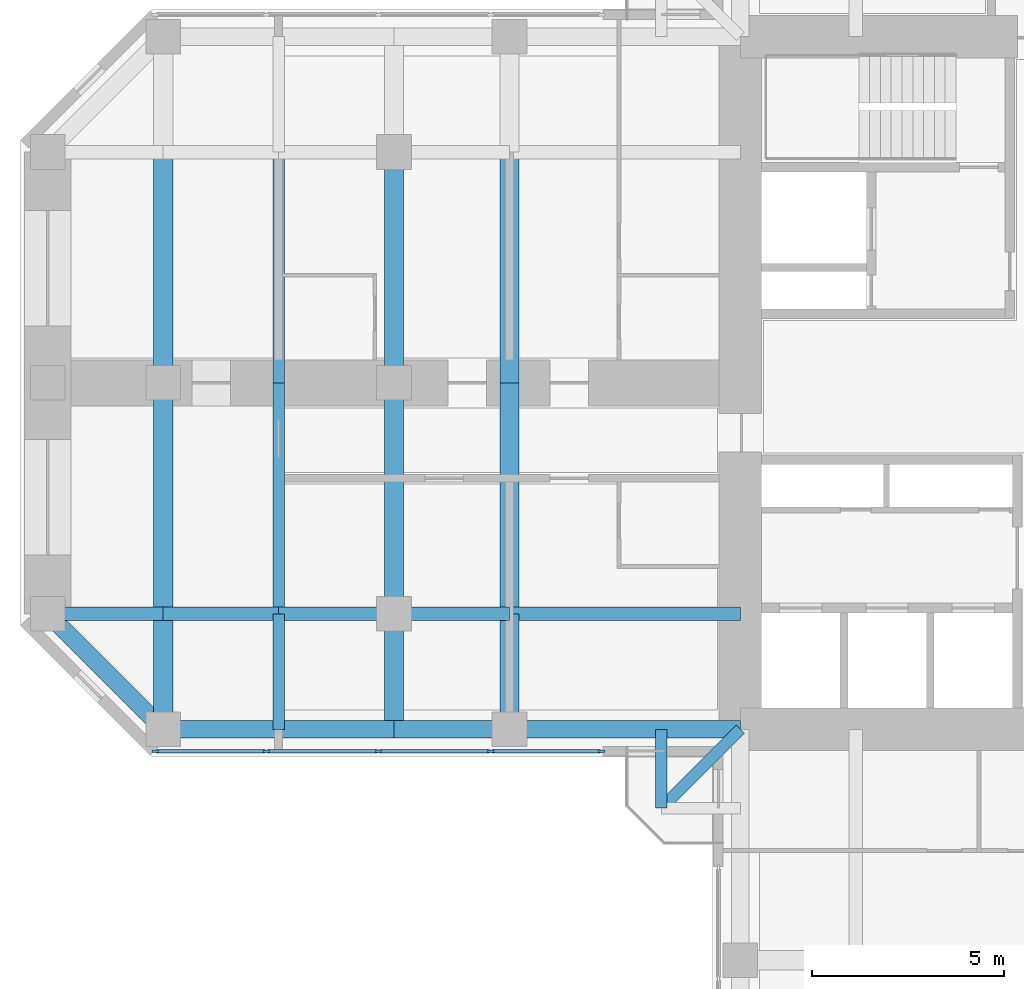
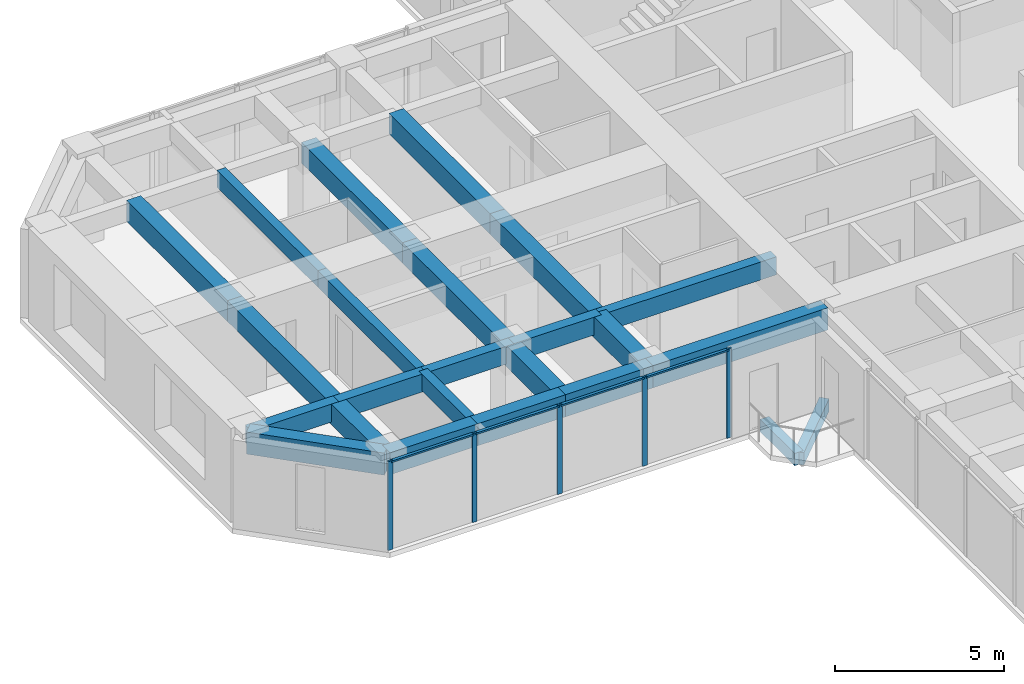
# One storey, part 3 of 14: 24 beams, 9 members, 1 element without a shape of its own.
"""IFC4 building model written with IfcOpenShell, lengths in metres."""

from ifc_helpers import new_model, si_unit, direction, frame, origin, origin_2d, place, context, subcontext, project, spatial, rectangle, extrude, material, material_profile, profile_set, type_object, element, aggregate, save


model = new_model("IFC4")

# Units and contexts
model_context = context("Model", 3, precision=1e-05, world=origin(), true_north=direction((0.0, 1.0)))
body_context = subcontext(model_context, "Body", "Model", "MODEL_VIEW")
ifc_project = project(units=[si_unit("LENGTHUNIT", "METRE"), si_unit("AREAUNIT", "SQUARE_METRE"), si_unit("VOLUMEUNIT", "CUBIC_METRE"), si_unit("PLANEANGLEUNIT", "RADIAN"), si_unit("MASSUNIT", "GRAM", prefix="KILO")], contexts=[model_context])

# Site, building, storey
site_placement = place(None, origin())
site = spatial("IfcSite", under=ifc_project, at=site_placement, CompositionType="ELEMENT")
building_placement = place(site_placement, origin())
building = spatial("IfcBuilding", under=site, at=building_placement, Name="Torre Cruceta", CompositionType="ELEMENT")
storey_placement = place(building_placement, frame((0.0, 0.0, 169.5)))
storey = spatial("IfcBuildingStorey", under=building, at=storey_placement, Name="L41", CompositionType="ELEMENT", Elevation=169.5)

# Beams
ifc_material_1 = material(Name="Concrete G60 (fck 60 MPa)", Category="concrete")
ifc_material_profile_1 = material_profile(ifc_material_1, rectangle(XDim=0.300048828125, YDim=0.449951171875, at=origin_2d()), Name="RC 300X450")
ifc_profile_set_1 = profile_set([ifc_material_profile_1], Name="Concrete G60 (fck 60 MPa)")
beam_type_1 = type_object("IfcBeamType", Name="BALCONY CANTILEVER BEAM RC 300X450", PredefinedType="BEAM", material=ifc_profile_set_1)
beam_1_placement = place(storey_placement, frame((-9.0, -9.0, -0.405029296875), z_axis=(-0.707106781187, -0.707106781187, 0.0), x_axis=(0.707106781187, -0.707106781187, 0.0)))
element("IfcBeam", 1, at=beam_1_placement, inside=storey, type_object=beam_type_1, Name="BB1 balcony beam L41 W", PredefinedType="BEAM", context=body_context, shape_type="SweptSolid", body=[
    extrude(rectangle(XDim=0.300048828125, YDim=0.449951171875, at=origin_2d()), origin(), (0.0, 0.0, 1.0), 2.89990234375),
])
beam_2_placement = place(storey_placement, frame((-11.050537109375, -9.0, -0.405029296875), z_axis=(0.0, -1.0, 0.0), x_axis=(1.0, 0.0, 0.0)))
element("IfcBeam", 2, at=beam_2_placement, inside=storey, type_object=beam_type_1, Name="BB1 balcony edge beam L41 W-X", PredefinedType="BEAM", context=body_context, shape_type="SweptSolid", body=[
    extrude(rectangle(XDim=0.300048828125, YDim=0.449951171875, at=origin_2d()), origin(), (0.0, 0.0, 1.0), 2.050537109375),
])
ifc_material_2 = material(Name="Concrete G60 (fck 60 MPa)", Category="concrete")
ifc_material_profile_2 = material_profile(ifc_material_2, rectangle(XDim=0.35009765625, YDim=0.64990234375, at=origin_2d()), Name="RC 350X650")
ifc_profile_set_2 = profile_set([ifc_material_profile_2], Name="Concrete G60 (fck 60 MPa)")
beam_type_2 = type_object("IfcBeamType", Name="COLUMN LINE BEAM RC 350X650", PredefinedType="BEAM", material=ifc_profile_set_2)
beam_3_placement = place(storey_placement, frame((-9.0, -6.0, 2.89501953125), z_axis=(-1.0, 0.0, 0.0), x_axis=(0.0, -1.0, 0.0)))
element("IfcBeam", 3, at=beam_3_placement, inside=storey, type_object=beam_type_2, Name="LB7 L41 W col+ 1", PredefinedType="BEAM", context=body_context, shape_type="SweptSolid", body=[
    extrude(rectangle(XDim=0.35009765625, YDim=0.64990234375, at=origin_2d()), origin(), (0.0, 0.0, 1.0), 6.0),
])
for number, where, z_axis, x_axis, name in (
    (4, (-15.0, -6.0, 2.89501953125), (-1.0, 0.0, 0.0), (0.0, -1.0, 0.0), "LB7 L41 W col+ 2"),
    (5, (-18.0, -6.0, 2.89501953125), (-1.0, 0.0, 0.0), (0.0, -1.0, 0.0), "LB7 L41 W col+ 3"),
    (6, (-21.0, -6.0, 2.89501953125), (-1.0, 0.0, 0.0), (0.0, -1.0, 0.0), "LB7 L41 W col+ 4"),
    (7, (-24.0, -6.0, 2.89501953125), (-1.0, 0.0, 0.0), (0.0, -1.0, 0.0), "LB7 L41 W col+ 5"),
):
    element("IfcBeam", number, at=place(storey_placement, frame(where, z_axis=z_axis, x_axis=x_axis)), inside=storey, type_object=beam_type_2, Name=name, PredefinedType="BEAM", context=body_context, shape_type="SweptSolid", body=[
        extrude(rectangle(XDim=0.35009765625, YDim=0.64990234375, at=origin_2d()), origin(), (0.0, 0.0, 1.0), 3.0),
    ])
ifc_material_3 = material(Name="Concrete G60 (fck 60 MPa)", Category="concrete")
ifc_material_profile_3 = material_profile(ifc_material_3, rectangle(XDim=0.5, YDim=0.75, at=origin_2d()), Name="RC 500X750")
ifc_profile_set_3 = profile_set([ifc_material_profile_3], Name="Concrete G60 (fck 60 MPa)")
beam_type_3 = type_object("IfcBeamType", Name="CROSS BEAM RC 500X750", PredefinedType="BEAM", material=ifc_profile_set_3)
for number, where, z_axis, x_axis, name in (
    (8, (-15.0, 6.0, 2.844970703125), (0.0, -1.0, 0.0), (1.0, 0.0, 0.0), "GB6 L41 W cross15 2"),
    (9, (-15.0, 0.0, 2.844970703125), (0.0, -1.0, 0.0), (1.0, 0.0, 0.0), "GB6 L41 W cross15 3"),
):
    element("IfcBeam", number, at=place(storey_placement, frame(where, z_axis=z_axis, x_axis=x_axis)), inside=storey, type_object=beam_type_3, Name=name, PredefinedType="BEAM", context=body_context, shape_type="SweptSolid", body=[
        extrude(rectangle(XDim=0.5, YDim=0.75, at=origin_2d()), origin(), (0.0, 0.0, 1.0), 6.0),
    ])
beam_4_placement = place(storey_placement, frame((-15.0, -6.0, 2.844970703125), z_axis=(0.0, -1.0, 0.0), x_axis=(1.0, 0.0, 0.0)))
element("IfcBeam", 10, at=beam_4_placement, inside=storey, type_object=beam_type_3, Name="GB6 L41 W cross15 4", PredefinedType="BEAM", context=body_context, shape_type="SweptSolid", body=[
    extrude(rectangle(XDim=0.5, YDim=0.75, at=origin_2d()), origin(), (0.0, 0.0, 1.0), 3.0),
])
for number, where, z_axis, x_axis, name in (
    (11, (-18.0, 6.0, 2.844970703125), (0.0, -1.0, 0.0), (1.0, 0.0, 0.0), "GB6 L41 W cross18 2"),
    (12, (-18.0, 0.0, 2.844970703125), (0.0, -1.0, 0.0), (1.0, 0.0, 0.0), "GB6 L41 W cross18 3"),
):
    element("IfcBeam", number, at=place(storey_placement, frame(where, z_axis=z_axis, x_axis=x_axis)), inside=storey, type_object=beam_type_3, Name=name, PredefinedType="BEAM", context=body_context, shape_type="SweptSolid", body=[
        extrude(rectangle(XDim=0.5, YDim=0.75, at=origin_2d()), origin(), (0.0, 0.0, 1.0), 6.0),
    ])
beam_5_placement = place(storey_placement, frame((-18.0, -6.0, 2.844970703125), z_axis=(0.0, -1.0, 0.0), x_axis=(1.0, 0.0, 0.0)))
element("IfcBeam", 13, at=beam_5_placement, inside=storey, type_object=beam_type_3, Name="GB6 L41 W cross18 4", PredefinedType="BEAM", context=body_context, shape_type="SweptSolid", body=[
    extrude(rectangle(XDim=0.5, YDim=0.75, at=origin_2d()), origin(), (0.0, 0.0, 1.0), 3.0),
])
for number, where, z_axis, x_axis, name in (
    (14, (-24.0, 6.0, 2.844970703125), (0.0, -1.0, 0.0), (1.0, 0.0, 0.0), "GB6 L41 W cross24 2"),
    (15, (-24.0, 0.0, 2.844970703125), (0.0, -1.0, 0.0), (1.0, 0.0, 0.0), "GB6 L41 W cross24 3"),
):
    element("IfcBeam", number, at=place(storey_placement, frame(where, z_axis=z_axis, x_axis=x_axis)), inside=storey, type_object=beam_type_3, Name=name, PredefinedType="BEAM", context=body_context, shape_type="SweptSolid", body=[
        extrude(rectangle(XDim=0.5, YDim=0.75, at=origin_2d()), origin(), (0.0, 0.0, 1.0), 6.0),
    ])
beam_6_placement = place(storey_placement, frame((-24.0, -6.0, 2.844970703125), z_axis=(0.0, -1.0, 0.0), x_axis=(1.0, 0.0, 0.0)))
element("IfcBeam", 16, at=beam_6_placement, inside=storey, type_object=beam_type_3, Name="GB6 L41 W cross24 4", PredefinedType="BEAM", context=body_context, shape_type="SweptSolid", body=[
    extrude(rectangle(XDim=0.5, YDim=0.75, at=origin_2d()), origin(), (0.0, 0.0, 1.0), 3.0),
])

# Curtain wall, members
ifc_material_4 = material(Name="Aluminium unitised curtain wall", Category="aluminium")
curtain_wall_type = type_object("IfcCurtainWallType", Name="CURTAIN WALL CW-C CO-LIVING", PredefinedType="USERDEFINED", material=ifc_material_4)
curtain_wall_placement = place(storey_placement, origin())
curtain_wall = element("IfcCurtainWall", 17, at=curtain_wall_placement, inside=storey, type_object=curtain_wall_type, Name="CW-C L41 W side 14", ObjectType="UNITISED", PredefinedType="USERDEFINED")
ifc_material_5 = material(Name="Aluminium mullion", Category="aluminium")
ifc_material_profile_4 = material_profile(ifc_material_5, rectangle(XDim=0.06005859375, YDim=0.159912109375, at=origin_2d()), Name="AL 60X160")
ifc_profile_set_4 = profile_set([ifc_material_profile_4], Name="Aluminium mullion")
member_type_1 = type_object("IfcMemberType", Name="CW-C MULLION 60X160", PredefinedType="MULLION", material=ifc_profile_set_4)
member_1_placement = place(storey_placement, frame((-24.2060546875, -9.570068359375, 0.0), z_axis=(0.0, 0.0, 1.0), x_axis=(0.0, 1.0, 0.0)))
member_1 = element("IfcMember", 18, at=member_1_placement, type_object=member_type_1, Name="CW-C mullion 1", PredefinedType="MULLION", context=body_context, shape_type="SweptSolid", body=[
    extrude(rectangle(XDim=0.06005859375, YDim=0.159912109375, at=origin_2d()), origin(), (0.0, 0.0, 1.0), 3.219970703125),
])
member_2_placement = place(storey_placement, frame((-21.319580078125, -9.570068359375, 0.0), z_axis=(0.0, 0.0, 1.0), x_axis=(0.0, 1.0, 0.0)))
member_2 = element("IfcMember", 19, at=member_2_placement, type_object=member_type_1, Name="CW-C mullion 2", PredefinedType="MULLION", context=body_context, shape_type="SweptSolid", body=[
    extrude(rectangle(XDim=0.06005859375, YDim=0.159912109375, at=origin_2d()), origin(), (0.0, 0.0, 1.0), 3.219970703125),
])
member_3_placement = place(storey_placement, frame((-18.403076171875, -9.570068359375, 0.0), z_axis=(0.0, 0.0, 1.0), x_axis=(0.0, 1.0, 0.0)))
member_3 = element("IfcMember", 20, at=member_3_placement, type_object=member_type_1, Name="CW-C mullion 3", PredefinedType="MULLION", context=body_context, shape_type="SweptSolid", body=[
    extrude(rectangle(XDim=0.06005859375, YDim=0.159912109375, at=origin_2d()), origin(), (0.0, 0.0, 1.0), 3.219970703125),
])
member_4_placement = place(storey_placement, frame((-15.486572265625, -9.570068359375, 0.0), z_axis=(0.0, 0.0, 1.0), x_axis=(0.0, 1.0, 0.0)))
member_4 = element("IfcMember", 21, at=member_4_placement, type_object=member_type_1, Name="CW-C mullion 4", PredefinedType="MULLION", context=body_context, shape_type="SweptSolid", body=[
    extrude(rectangle(XDim=0.06005859375, YDim=0.159912109375, at=origin_2d()), origin(), (0.0, 0.0, 1.0), 3.219970703125),
])
member_5_placement = place(storey_placement, frame((-12.60009765625, -9.570068359375, 0.0), z_axis=(0.0, 0.0, 1.0), x_axis=(0.0, 1.0, 0.0)))
member_5 = element("IfcMember", 22, at=member_5_placement, type_object=member_type_1, Name="CW-C mullion 5", PredefinedType="MULLION", context=body_context, shape_type="SweptSolid", body=[
    extrude(rectangle(XDim=0.06005859375, YDim=0.159912109375, at=origin_2d()), origin(), (0.0, 0.0, 1.0), 3.219970703125),
])
ifc_material_6 = material(Name="Aluminium transom", Category="aluminium")
ifc_material_profile_5 = material_profile(ifc_material_6, rectangle(XDim=0.10009765625, YDim=0.06005859375, at=origin_2d()), Name="AL 100X60")
ifc_profile_set_5 = profile_set([ifc_material_profile_5], Name="Aluminium transom")
member_type_2 = type_object("IfcMemberType", Name="CW-C TRANSOM 60X100", PredefinedType="USERDEFINED", material=ifc_profile_set_5)
member_6_placement = place(storey_placement, frame((-24.176025390625, -9.570068359375, 3.18994140625), z_axis=(1.0, 0.0, 0.0), x_axis=(0.0, 1.0, 0.0)))
member_6 = element("IfcMember", 23, at=member_6_placement, type_object=member_type_2, Name="CW-C transom 1", ObjectType="TRANSOM", PredefinedType="USERDEFINED", context=body_context, shape_type="SweptSolid", body=[
    extrude(rectangle(XDim=0.10009765625, YDim=0.06005859375, at=origin_2d()), origin(), (0.0, 0.0, 1.0), 2.826416015625),
])
member_7_placement = place(storey_placement, frame((-21.28955078125, -9.570068359375, 3.18994140625), z_axis=(1.0, 0.0, 0.0), x_axis=(0.0, 1.0, 0.0)))
member_7 = element("IfcMember", 24, at=member_7_placement, type_object=member_type_2, Name="CW-C transom 2", ObjectType="TRANSOM", PredefinedType="USERDEFINED", context=body_context, shape_type="SweptSolid", body=[
    extrude(rectangle(XDim=0.10009765625, YDim=0.06005859375, at=origin_2d()), origin(), (0.0, 0.0, 1.0), 2.8564453125),
])
member_8_placement = place(storey_placement, frame((-18.373046875, -9.570068359375, 3.18994140625), z_axis=(1.0, 0.0, 0.0), x_axis=(0.0, 1.0, 0.0)))
member_8 = element("IfcMember", 25, at=member_8_placement, type_object=member_type_2, Name="CW-C transom 3", ObjectType="TRANSOM", PredefinedType="USERDEFINED", context=body_context, shape_type="SweptSolid", body=[
    extrude(rectangle(XDim=0.10009765625, YDim=0.06005859375, at=origin_2d()), origin(), (0.0, 0.0, 1.0), 2.8564453125),
])
member_9_placement = place(storey_placement, frame((-15.45654296875, -9.570068359375, 3.18994140625), z_axis=(1.0, 0.0, 0.0), x_axis=(0.0, 1.0, 0.0)))
member_9 = element("IfcMember", 26, at=member_9_placement, type_object=member_type_2, Name="CW-C transom 4", ObjectType="TRANSOM", PredefinedType="USERDEFINED", context=body_context, shape_type="SweptSolid", body=[
    extrude(rectangle(XDim=0.10009765625, YDim=0.06005859375, at=origin_2d()), origin(), (0.0, 0.0, 1.0), 2.82666015625),
])
aggregate(curtain_wall, [member_1, member_2, member_3, member_4, member_5, member_6, member_7, member_8, member_9])

# Beams
ifc_material_7 = material(Name="Concrete G60 (fck 60 MPa)", Category="concrete")
ifc_material_profile_6 = material_profile(ifc_material_7, rectangle(XDim=0.300048828125, YDim=0.60009765625, at=origin_2d()), Name="RC 300X600")
ifc_profile_set_6 = profile_set([ifc_material_profile_6], Name="Concrete G60 (fck 60 MPa)")
beam_type_4 = type_object("IfcBeamType", Name="SECONDARY BEAM RC 300X600", PredefinedType="JOIST", material=ifc_profile_set_6)
for number, where, z_axis, x_axis, name in (
    (27, (-21.0, 6.0, 2.919921875), (0.0, -1.0, 0.0), (1.0, 0.0, 0.0), "JB6 L41 W sec21 2"),
    (28, (-21.0, 0.0, 2.919921875), (0.0, -1.0, 0.0), (1.0, 0.0, 0.0), "JB6 L41 W sec21 3"),
):
    element("IfcBeam", number, at=place(storey_placement, frame(where, z_axis=z_axis, x_axis=x_axis)), inside=storey, type_object=beam_type_4, Name=name, PredefinedType="JOIST", context=body_context, shape_type="SweptSolid", body=[
        extrude(rectangle(XDim=0.300048828125, YDim=0.60009765625, at=origin_2d()), origin(), (0.0, 0.0, 1.0), 6.0),
    ])
beam_7_placement = place(storey_placement, frame((-21.0, -6.0, 2.919921875), z_axis=(0.0, -1.0, 0.0), x_axis=(1.0, 0.0, 0.0)))
element("IfcBeam", 29, at=beam_7_placement, inside=storey, type_object=beam_type_4, Name="JB6 L41 W sec21 4", PredefinedType="JOIST", context=body_context, shape_type="SweptSolid", body=[
    extrude(rectangle(XDim=0.300048828125, YDim=0.60009765625, at=origin_2d()), origin(), (0.0, 0.0, 1.0), 3.0),
])
ifc_material_8 = material(Name="Concrete G60 (fck 60 MPa)", Category="concrete")
ifc_material_profile_7 = material_profile(ifc_material_8, rectangle(XDim=0.449951171875, YDim=0.800048828125, at=origin_2d()), Name="RC 450X800")
ifc_profile_set_7 = profile_set([ifc_material_profile_7], Name="Concrete G60 (fck 60 MPa)")
beam_type_5 = type_object("IfcBeamType", Name="SPANDREL BEAM RC 450X800", PredefinedType="SPANDREL", material=ifc_profile_set_7)
beam_8_placement = place(storey_placement, frame((-9.0, -9.0, 2.820068359375), z_axis=(-1.0, 0.0, 0.0), x_axis=(0.0, -1.0, 0.0)))
element("IfcBeam", 30, at=beam_8_placement, inside=storey, type_object=beam_type_5, Name="SB6 L41 W side+ 1", PredefinedType="SPANDREL", context=body_context, shape_type="SweptSolid", body=[
    extrude(rectangle(XDim=0.449951171875, YDim=0.800048828125, at=origin_2d()), origin(), (0.0, 0.0, 1.0), 6.0),
])
for number, where, z_axis, x_axis, name in (
    (31, (-15.0, -9.0, 2.820068359375), (-1.0, 0.0, 0.0), (0.0, -1.0, 0.0), "SB6 L41 W side+ 2"),
    (32, (-18.0, -9.0, 2.820068359375), (-1.0, 0.0, 0.0), (0.0, -1.0, 0.0), "SB6 L41 W side+ 3"),
    (33, (-21.0, -9.0, 2.820068359375), (-1.0, 0.0, 0.0), (0.0, -1.0, 0.0), "SB6 L41 W side+ 4"),
):
    element("IfcBeam", number, at=place(storey_placement, frame(where, z_axis=z_axis, x_axis=x_axis)), inside=storey, type_object=beam_type_5, Name=name, PredefinedType="SPANDREL", context=body_context, shape_type="SweptSolid", body=[
        extrude(rectangle(XDim=0.449951171875, YDim=0.800048828125, at=origin_2d()), origin(), (0.0, 0.0, 1.0), 3.0),
    ])
beam_9_placement = place(storey_placement, frame((-24.0, -9.0, 2.820068359375), z_axis=(-0.707106781187, 0.707106781187, 0.0), x_axis=(-0.707106781187, -0.707106781187, 0.0)))
element("IfcBeam", 34, at=beam_9_placement, inside=storey, type_object=beam_type_5, Name="SB6 L41 W side+ 5", PredefinedType="SPANDREL", context=body_context, shape_type="SweptSolid", body=[
    extrude(rectangle(XDim=0.449951171875, YDim=0.800048828125, at=origin_2d()), origin(), (0.0, 0.0, 1.0), 4.24267578125),
])

save(model, "model.ifc")
